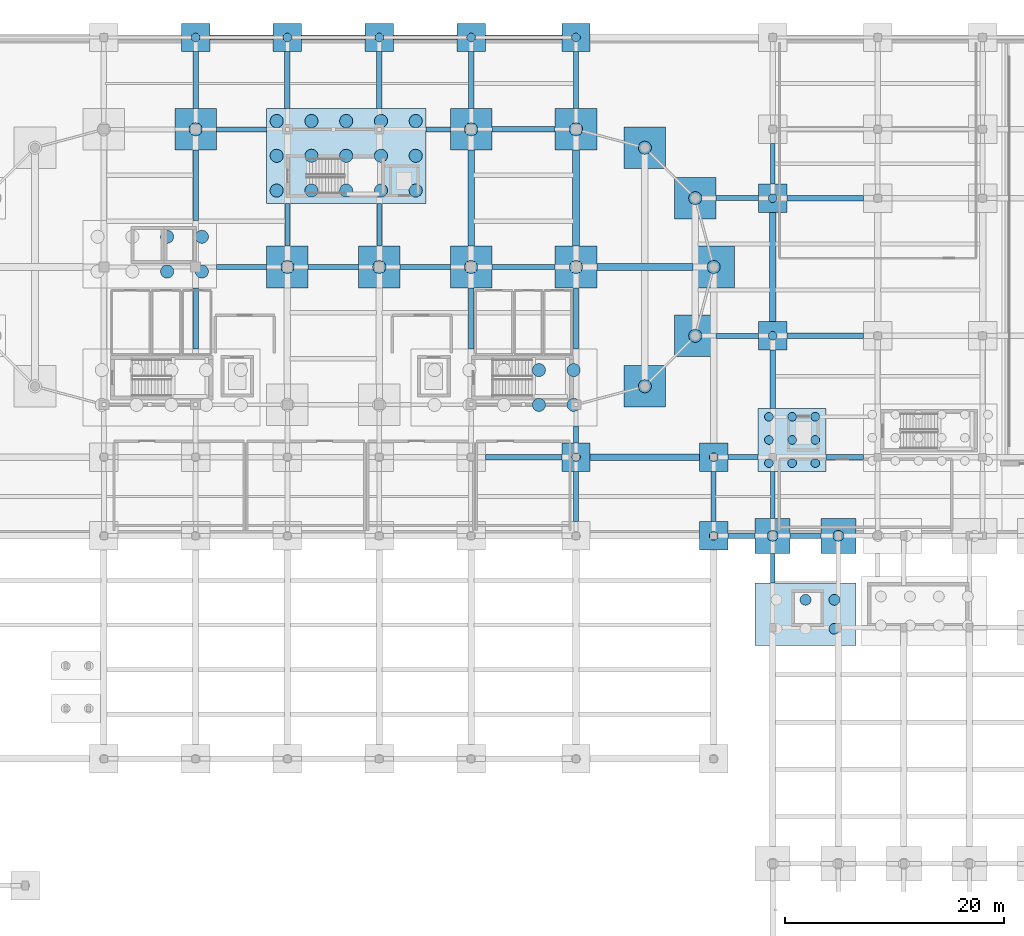
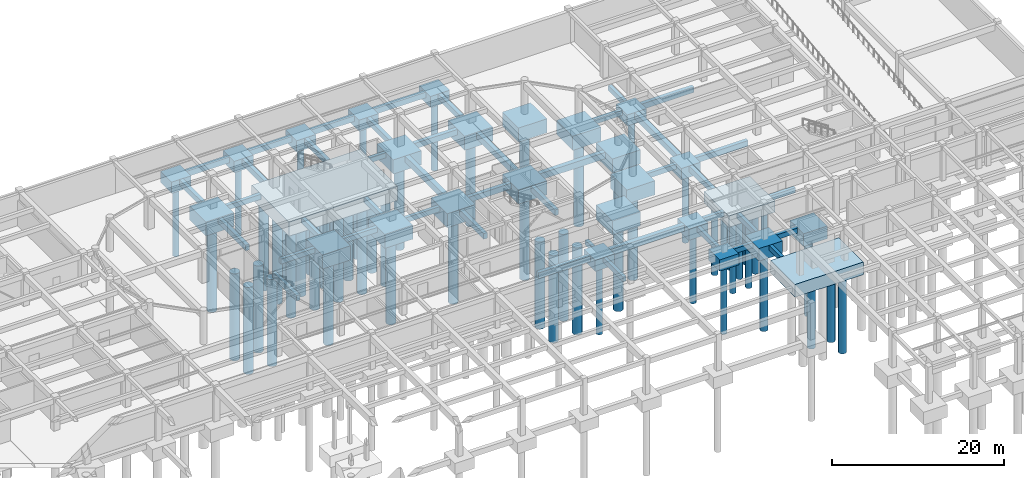
# One storey, part 5 of 37: 70 footings, 59 piles.
"""IFC4 building model written with IfcOpenShell, lengths in metres."""

from ifc_helpers import new_model, si_unit, direction, frame, origin, origin_2d, place, context, subcontext, project, spatial, rectangle, circle, extrude, material, material_profile, profile_set, type_object, element, save


model = new_model("IFC4")

# Units and contexts
model_context = context("Model", 3, precision=1e-05, world=origin(), true_north=direction((0.0, 1.0)))
body_context = subcontext(model_context, "Body", "Model", "MODEL_VIEW")
ifc_project = project(units=[si_unit("LENGTHUNIT", "METRE"), si_unit("AREAUNIT", "SQUARE_METRE"), si_unit("VOLUMEUNIT", "CUBIC_METRE"), si_unit("PLANEANGLEUNIT", "RADIAN"), si_unit("MASSUNIT", "GRAM", prefix="KILO")], contexts=[model_context])

# Site, building, storey
site_placement = place(None, origin())
site = spatial("IfcSite", under=ifc_project, at=site_placement, CompositionType="ELEMENT")
building_placement = place(site_placement, origin())
building = spatial("IfcBuilding", under=site, at=building_placement, Name="Tarnavel Promenade Courthouse", CompositionType="ELEMENT")
storey_placement = place(building_placement, frame((0.0, 0.0, -4.800048828125)))
storey = spatial("IfcBuildingStorey", under=building, at=storey_placement, Name="B01", CompositionType="ELEMENT", Elevation=-4.800048828125)

# Piles
ifc_material_1 = material(Name="Concrete C30/37", Category="concrete")
ifc_material_profile_1 = material_profile(ifc_material_1, circle(Radius=0.5, at=origin_2d()), Name="PILE D1000")
ifc_profile_set_1 = profile_set([ifc_material_profile_1], Name="Concrete C30/37")
pile_type_1 = type_object("IfcPileType", Name="Concrete C30/37 PIL-D1000 (PILE D1000)", PredefinedType="BORED", material=ifc_profile_set_1)
for number, where, z_axis, x_axis, name in (
    (1, (123.0, 61.35009765625, -2.119873046875), (0.0, 0.0, -1.0), (1.0, 0.0, 0.0), "Bored Pile 093-22"),
    (2, (125.64990234375, 58.699951171875, -2.119873046875), (0.0, 0.0, -1.0), (1.0, 0.0, 0.0), "Bored Pile 093-31"),
    (3, (125.64990234375, 61.35009765625, -2.119873046875), (0.0, 0.0, -1.0), (1.0, 0.0, 0.0), "Bored Pile 093-32"),
    (4, (120.0, 67.199951171875, -2.119873046875), (0.0, 0.0, -1.0), (1.0, 0.0, 0.0), "Bored Pile 105-11"),
    (5, (126.0, 67.199951171875, -2.119873046875), (0.0, 0.0, -1.0), (1.0, 0.0, 0.0), "Bored Pile 106-11"),
):
    element("IfcPile", number, at=place(storey_placement, frame(where, z_axis=z_axis, x_axis=x_axis)), inside=storey, type_object=pile_type_1, Name=name, PredefinedType="BORED", context=body_context, shape_type="SweptSolid", body=[
        extrude(circle(Radius=0.5, at=origin_2d()), origin(), (0.0, 0.0, 1.0), 11.280029296875),
    ])
ifc_material_profile_2 = material_profile(ifc_material_1, circle(Radius=0.60009765625, at=origin_2d()), Name="PILE D1200")
ifc_profile_set_2 = profile_set([ifc_material_profile_2], Name="Concrete C30/37")
pile_type_2 = type_object("IfcPileType", Name="Concrete C30/37 PIL-D1200 (PILE D1200)", PredefinedType="BORED", material=ifc_profile_set_2)
for number, where, z_axis, x_axis, name in (
    (6, (98.60498046875, 79.18505859375, -2.320068359375), (0.0, 0.0, -1.0), (1.0, 0.0, 0.0), "Bored Pile 139-41"),
    (7, (98.60498046875, 82.364990234375, -2.320068359375), (0.0, 0.0, -1.0), (1.0, 0.0, 0.0), "Bored Pile 139-42"),
    (8, (101.784912109375, 79.18505859375, -2.320068359375), (0.0, 0.0, -1.0), (1.0, 0.0, 0.0), "Bored Pile 139-51"),
    (9, (101.784912109375, 82.364990234375, -2.320068359375), (0.0, 0.0, -1.0), (1.0, 0.0, 0.0), "Bored Pile 139-52"),
    (10, (108.300048828125, 80.88818359375, -2.320068359375), (0.0, 0.0, -1.0), (1.0, 0.0, 0.0), "Bored Pile 141-11"),
    (11, (112.911865234375, 85.5, -2.320068359375), (0.0, 0.0, -1.0), (1.0, 0.0, 0.0), "Bored Pile 143-11"),
    (12, (64.590087890625, 91.385009765625, -2.320068359375), (0.0, 0.0, -1.0), (1.0, 0.0, 0.0), "Bored Pile 155-31"),
    (13, (64.590087890625, 94.56494140625, -2.320068359375), (0.0, 0.0, -1.0), (1.0, 0.0, 0.0), "Bored Pile 155-32"),
    (14, (67.77001953125, 91.385009765625, -2.320068359375), (0.0, 0.0, -1.0), (1.0, 0.0, 0.0), "Bored Pile 155-41"),
    (15, (67.77001953125, 94.56494140625, -2.320068359375), (0.0, 0.0, -1.0), (1.0, 0.0, 0.0), "Bored Pile 155-42"),
    (16, (75.60009765625, 91.800048828125, -2.320068359375), (0.0, 0.0, -1.0), (1.0, 0.0, 0.0), "Bored Pile 156-11"),
    (17, (84.0, 91.800048828125, -2.320068359375), (0.0, 0.0, -1.0), (1.0, 0.0, 0.0), "Bored Pile 157-11"),
    (18, (92.39990234375, 91.800048828125, -2.320068359375), (0.0, 0.0, -1.0), (1.0, 0.0, 0.0), "Bored Pile 158-11"),
    (19, (102.0, 91.800048828125, -2.320068359375), (0.0, 0.0, -1.0), (1.0, 0.0, 0.0), "Bored Pile 159-11"),
    (20, (114.60009765625, 91.800048828125, -2.320068359375), (0.0, 0.0, -1.0), (1.0, 0.0, 0.0), "Bored Pile 160-11"),
    (21, (112.911865234375, 98.10009765625, -2.320068359375), (0.0, 0.0, -1.0), (1.0, 0.0, 0.0), "Bored Pile 162-11"),
    (22, (74.614990234375, 98.794921875, -2.320068359375), (0.0, 0.0, -1.0), (1.0, 0.0, 0.0), "Bored Pile 172-11"),
    (23, (74.614990234375, 101.97509765625, -2.320068359375), (0.0, 0.0, -1.0), (1.0, 0.0, 0.0), "Bored Pile 172-12"),
    (24, (74.614990234375, 105.155029296875, -2.320068359375), (0.0, 0.0, -1.0), (1.0, 0.0, 0.0), "Bored Pile 172-13"),
    (25, (77.794921875, 98.794921875, -2.320068359375), (0.0, 0.0, -1.0), (1.0, 0.0, 0.0), "Bored Pile 172-21"),
    (26, (77.794921875, 101.97509765625, -2.320068359375), (0.0, 0.0, -1.0), (1.0, 0.0, 0.0), "Bored Pile 172-22"),
    (27, (77.794921875, 105.155029296875, -2.320068359375), (0.0, 0.0, -1.0), (1.0, 0.0, 0.0), "Bored Pile 172-23"),
    (28, (80.97509765625, 98.794921875, -2.320068359375), (0.0, 0.0, -1.0), (1.0, 0.0, 0.0), "Bored Pile 172-31"),
    (29, (80.97509765625, 101.97509765625, -2.320068359375), (0.0, 0.0, -1.0), (1.0, 0.0, 0.0), "Bored Pile 172-32"),
    (30, (80.97509765625, 105.155029296875, -2.320068359375), (0.0, 0.0, -1.0), (1.0, 0.0, 0.0), "Bored Pile 172-33"),
    (31, (84.155029296875, 98.794921875, -2.320068359375), (0.0, 0.0, -1.0), (1.0, 0.0, 0.0), "Bored Pile 172-41"),
    (32, (84.155029296875, 101.97509765625, -2.320068359375), (0.0, 0.0, -1.0), (1.0, 0.0, 0.0), "Bored Pile 172-42"),
    (33, (84.155029296875, 105.155029296875, -2.320068359375), (0.0, 0.0, -1.0), (1.0, 0.0, 0.0), "Bored Pile 172-43"),
    (34, (87.3349609375, 98.794921875, -2.320068359375), (0.0, 0.0, -1.0), (1.0, 0.0, 0.0), "Bored Pile 172-51"),
    (35, (87.3349609375, 101.97509765625, -2.320068359375), (0.0, 0.0, -1.0), (1.0, 0.0, 0.0), "Bored Pile 172-52"),
    (36, (87.3349609375, 105.155029296875, -2.320068359375), (0.0, 0.0, -1.0), (1.0, 0.0, 0.0), "Bored Pile 172-53"),
    (37, (108.300048828125, 102.7119140625, -2.320068359375), (0.0, 0.0, -1.0), (1.0, 0.0, 0.0), "Bored Pile 175-11"),
    (38, (67.199951171875, 104.39990234375, -2.320068359375), (0.0, 0.0, -1.0), (1.0, 0.0, 0.0), "Bored Pile 177-11"),
    (39, (92.39990234375, 104.39990234375, -2.320068359375), (0.0, 0.0, -1.0), (1.0, 0.0, 0.0), "Bored Pile 178-11"),
    (40, (102.0, 104.39990234375, -2.320068359375), (0.0, 0.0, -1.0), (1.0, 0.0, 0.0), "Bored Pile 179-11"),
):
    element("IfcPile", number, at=place(storey_placement, frame(where, z_axis=z_axis, x_axis=x_axis)), inside=storey, type_object=pile_type_2, Name=name, PredefinedType="BORED", context=body_context, shape_type="SweptSolid", body=[
        extrude(circle(Radius=0.60009765625, at=origin_2d()), origin(), (0.0, 0.0, 1.0), 12.3798828125),
    ])
ifc_material_profile_3 = material_profile(ifc_material_1, circle(Radius=0.39990234375, at=origin_2d()), Name="PILE D800")
ifc_profile_set_3 = profile_set([ifc_material_profile_3], Name="Concrete C30/37")
pile_type_3 = type_object("IfcPileType", Name="Concrete C30/37 PIL-D800 (PILE D800)", PredefinedType="BORED", material=ifc_profile_set_3)
for number, where, z_axis, x_axis, name in (
    (41, (114.60009765625, 67.199951171875, -1.919921875), (0.0, 0.0, -1.0), (1.0, 0.0, 0.0), "Bored Pile 119-11"),
    (42, (102.0, 74.39990234375, -1.919921875), (0.0, 0.0, -1.0), (1.0, 0.0, 0.0), "Bored Pile 130-11"),
    (43, (114.60009765625, 74.39990234375, -1.919921875), (0.0, 0.0, -1.0), (1.0, 0.0, 0.0), "Bored Pile 131-11"),
    (44, (119.655029296875, 73.85498046875, -1.919921875), (0.0, 0.0, -1.0), (1.0, 0.0, 0.0), "Bored Pile 132-11"),
    (45, (119.655029296875, 75.97509765625, -1.919921875), (0.0, 0.0, -1.0), (1.0, 0.0, 0.0), "Bored Pile 132-12"),
    (46, (119.655029296875, 78.094970703125, -1.919921875), (0.0, 0.0, -1.0), (1.0, 0.0, 0.0), "Bored Pile 132-13"),
    (47, (121.77490234375, 73.85498046875, -1.919921875), (0.0, 0.0, -1.0), (1.0, 0.0, 0.0), "Bored Pile 132-21"),
    (48, (121.77490234375, 75.97509765625, -1.919921875), (0.0, 0.0, -1.0), (1.0, 0.0, 0.0), "Bored Pile 132-22"),
    (49, (121.77490234375, 78.094970703125, -1.919921875), (0.0, 0.0, -1.0), (1.0, 0.0, 0.0), "Bored Pile 132-23"),
    (50, (123.89501953125, 73.85498046875, -1.919921875), (0.0, 0.0, -1.0), (1.0, 0.0, 0.0), "Bored Pile 132-31"),
    (51, (123.89501953125, 75.97509765625, -1.919921875), (0.0, 0.0, -1.0), (1.0, 0.0, 0.0), "Bored Pile 132-32"),
    (52, (123.89501953125, 78.094970703125, -1.919921875), (0.0, 0.0, -1.0), (1.0, 0.0, 0.0), "Bored Pile 132-33"),
    (53, (120.0, 85.5, -1.919921875), (0.0, 0.0, -1.0), (1.0, 0.0, 0.0), "Bored Pile 149-11"),
    (54, (120.0, 98.10009765625, -1.919921875), (0.0, 0.0, -1.0), (1.0, 0.0, 0.0), "Bored Pile 167-11"),
    (55, (67.199951171875, 112.800048828125, -1.919921875), (0.0, 0.0, -1.0), (1.0, 0.0, 0.0), "Bored Pile 192-11"),
    (56, (75.60009765625, 112.800048828125, -1.919921875), (0.0, 0.0, -1.0), (1.0, 0.0, 0.0), "Bored Pile 193-11"),
    (57, (84.0, 112.800048828125, -1.919921875), (0.0, 0.0, -1.0), (1.0, 0.0, 0.0), "Bored Pile 194-11"),
    (58, (92.39990234375, 112.800048828125, -1.919921875), (0.0, 0.0, -1.0), (1.0, 0.0, 0.0), "Bored Pile 195-11"),
    (59, (102.0, 112.800048828125, -1.919921875), (0.0, 0.0, -1.0), (1.0, 0.0, 0.0), "Bored Pile 196-11"),
):
    element("IfcPile", number, at=place(storey_placement, frame(where, z_axis=z_axis, x_axis=x_axis)), inside=storey, type_object=pile_type_3, Name=name, PredefinedType="BORED", context=body_context, shape_type="SweptSolid", body=[
        extrude(circle(Radius=0.39990234375, at=origin_2d()), origin(), (0.0, 0.0, 1.0), 10.080078125),
    ])

# Footings
ifc_material_2 = material(Name="Concrete C35/45", Category="concrete")
ifc_material_profile_4 = material_profile(ifc_material_2, rectangle(XDim=0.449951171875, YDim=0.699951171875, at=origin_2d()), Name="GB 450x700")
ifc_profile_set_4 = profile_set([ifc_material_profile_4], Name="Concrete C35/45")
footing_type_1 = type_object("IfcFootingType", Name="Concrete C35/45 FTG-GB-450x700 (GB 450x700)", PredefinedType="FOOTING_BEAM", material=ifc_profile_set_4)
footing_1_placement = place(storey_placement, frame((115.89990234375, 67.199951171875, -0.77001953125), z_axis=(1.0, 0.0, 0.0), x_axis=(0.0, 1.0, 0.0)))
element("IfcFooting", 60, at=footing_1_placement, inside=storey, type_object=footing_type_1, Name="Seismic Ground Tie Beam GB-X-093", PredefinedType="FOOTING_BEAM", context=body_context, shape_type="SweptSolid", body=[
    extrude(rectangle(XDim=0.449951171875, YDim=0.699951171875, at=origin_2d()), origin(), (0.0, 0.0, 1.0), 2.5),
])
footing_2_placement = place(storey_placement, frame((121.60009765625, 67.199951171875, -0.77001953125), z_axis=(1.0, 0.0, 0.0), x_axis=(0.0, 1.0, 0.0)))
element("IfcFooting", 61, at=footing_2_placement, inside=storey, type_object=footing_type_1, Name="Seismic Ground Tie Beam GB-X-094", PredefinedType="FOOTING_BEAM", context=body_context, shape_type="SweptSolid", body=[
    extrude(rectangle(XDim=0.449951171875, YDim=0.699951171875, at=origin_2d()), origin(), (0.0, 0.0, 1.0), 2.7998046875),
])
footing_3_placement = place(storey_placement, frame((115.89990234375, 74.39990234375, -0.77001953125), z_axis=(1.0, 0.0, 0.0), x_axis=(0.0, 1.0, 0.0)))
element("IfcFooting", 62, at=footing_3_placement, inside=storey, type_object=footing_type_1, Name="Seismic Ground Tie Beam GB-X-111", PredefinedType="FOOTING_BEAM", context=body_context, shape_type="SweptSolid", body=[
    extrude(rectangle(XDim=0.449951171875, YDim=0.699951171875, at=origin_2d()), origin(), (0.0, 0.0, 1.0), 2.775146484375),
])
footing_4_placement = place(storey_placement, frame((124.875, 74.39990234375, -0.77001953125), z_axis=(1.0, 0.0, 0.0), x_axis=(0.0, 1.0, 0.0)))
element("IfcFooting", 63, at=footing_4_placement, inside=storey, type_object=footing_type_1, Name="Seismic Ground Tie Beam GB-X-112", PredefinedType="FOOTING_BEAM", context=body_context, shape_type="SweptSolid", body=[
    extrude(rectangle(XDim=0.449951171875, YDim=0.699951171875, at=origin_2d()), origin(), (0.0, 0.0, 1.0), 3.425048828125),
])
footing_5_placement = place(storey_placement, frame((114.81201171875, 85.5, -0.77001953125), z_axis=(1.0, 0.0, 0.0), x_axis=(0.0, 1.0, 0.0)))
element("IfcFooting", 64, at=footing_5_placement, inside=storey, type_object=footing_type_1, Name="Seismic Ground Tie Beam GB-X-122", PredefinedType="FOOTING_BEAM", context=body_context, shape_type="SweptSolid", body=[
    extrude(rectangle(XDim=0.449951171875, YDim=0.699951171875, at=origin_2d()), origin(), (0.0, 0.0, 1.0), 3.887939453125),
])
footing_6_placement = place(storey_placement, frame((69.10009765625, 91.800048828125, -0.77001953125), z_axis=(1.0, 0.0, 0.0), x_axis=(0.0, 1.0, 0.0)))
element("IfcFooting", 65, at=footing_6_placement, inside=storey, type_object=footing_type_1, Name="Seismic Ground Tie Beam GB-X-128", PredefinedType="FOOTING_BEAM", context=body_context, shape_type="SweptSolid", body=[
    extrude(rectangle(XDim=0.449951171875, YDim=0.699951171875, at=origin_2d()), origin(), (0.0, 0.0, 1.0), 4.599853515625),
])
for number, where, z_axis, x_axis, name in (
    (66, (77.5, 91.800048828125, -0.77001953125), (1.0, 0.0, 0.0), (0.0, 1.0, 0.0), "Seismic Ground Tie Beam GB-X-129"),
    (67, (85.89990234375, 91.800048828125, -0.77001953125), (1.0, 0.0, 0.0), (0.0, 1.0, 0.0), "Seismic Ground Tie Beam GB-X-130"),
):
    element("IfcFooting", number, at=place(storey_placement, frame(where, z_axis=z_axis, x_axis=x_axis)), inside=storey, type_object=footing_type_1, Name=name, PredefinedType="FOOTING_BEAM", context=body_context, shape_type="SweptSolid", body=[
        extrude(rectangle(XDim=0.449951171875, YDim=0.699951171875, at=origin_2d()), origin(), (0.0, 0.0, 1.0), 4.60009765625),
    ])
footing_7_placement = place(storey_placement, frame((114.81201171875, 98.10009765625, -0.77001953125), z_axis=(1.0, 0.0, 0.0), x_axis=(0.0, 1.0, 0.0)))
element("IfcFooting", 68, at=footing_7_placement, inside=storey, type_object=footing_type_1, Name="Seismic Ground Tie Beam GB-X-136", PredefinedType="FOOTING_BEAM", context=body_context, shape_type="SweptSolid", body=[
    extrude(rectangle(XDim=0.449951171875, YDim=0.699951171875, at=origin_2d()), origin(), (0.0, 0.0, 1.0), 3.887939453125),
])
footing_8_placement = place(storey_placement, frame((69.10009765625, 104.39990234375, -0.77001953125), z_axis=(1.0, 0.0, 0.0), x_axis=(0.0, 1.0, 0.0)))
element("IfcFooting", 69, at=footing_8_placement, inside=storey, type_object=footing_type_1, Name="Seismic Ground Tie Beam GB-X-142", PredefinedType="FOOTING_BEAM", context=body_context, shape_type="SweptSolid", body=[
    extrude(rectangle(XDim=0.449951171875, YDim=0.699951171875, at=origin_2d()), origin(), (0.0, 0.0, 1.0), 4.574951171875),
])
footing_9_placement = place(storey_placement, frame((88.27490234375, 104.39990234375, -0.77001953125), z_axis=(1.0, 0.0, 0.0), x_axis=(0.0, 1.0, 0.0)))
element("IfcFooting", 70, at=footing_9_placement, inside=storey, type_object=footing_type_1, Name="Seismic Ground Tie Beam GB-X-143", PredefinedType="FOOTING_BEAM", context=body_context, shape_type="SweptSolid", body=[
    extrude(rectangle(XDim=0.449951171875, YDim=0.699951171875, at=origin_2d()), origin(), (0.0, 0.0, 1.0), 2.22509765625),
])
for number, where, z_axis, x_axis, name in (
    (71, (75.60009765625, 93.699951171875, -0.77001953125), (0.0, 1.0, 0.0), (-1.0, 0.0, 0.0), "Seismic Ground Tie Beam GB-Y-229"),
    (72, (84.0, 93.699951171875, -0.77001953125), (0.0, 1.0, 0.0), (-1.0, 0.0, 0.0), "Seismic Ground Tie Beam GB-Y-235"),
):
    element("IfcFooting", number, at=place(storey_placement, frame(where, z_axis=z_axis, x_axis=x_axis)), inside=storey, type_object=footing_type_1, Name=name, PredefinedType="FOOTING_BEAM", context=body_context, shape_type="SweptSolid", body=[
        extrude(rectangle(XDim=0.449951171875, YDim=0.699951171875, at=origin_2d()), origin(), (0.0, 0.0, 1.0), 3.925048828125),
    ])
footing_10_placement = place(storey_placement, frame((102.0, 68.5, -0.77001953125), z_axis=(0.0, 1.0, 0.0), x_axis=(-1.0, 0.0, 0.0)))
element("IfcFooting", 73, at=footing_10_placement, inside=storey, type_object=footing_type_1, Name="Seismic Ground Tie Beam GB-Y-244", PredefinedType="FOOTING_BEAM", context=body_context, shape_type="SweptSolid", body=[
    extrude(rectangle(XDim=0.449951171875, YDim=0.699951171875, at=origin_2d()), origin(), (0.0, 0.0, 1.0), 4.60009765625),
])
footing_11_placement = place(storey_placement, frame((102.0, 75.699951171875, -0.77001953125), z_axis=(0.0, 1.0, 0.0), x_axis=(-1.0, 0.0, 0.0)))
element("IfcFooting", 74, at=footing_11_placement, inside=storey, type_object=footing_type_1, Name="Seismic Ground Tie Beam GB-Y-245", PredefinedType="FOOTING_BEAM", context=body_context, shape_type="SweptSolid", body=[
    extrude(rectangle(XDim=0.449951171875, YDim=0.699951171875, at=origin_2d()), origin(), (0.0, 0.0, 1.0), 1.574951171875),
])
footing_12_placement = place(storey_placement, frame((114.60009765625, 68.5, -0.77001953125), z_axis=(0.0, 1.0, 0.0), x_axis=(-1.0, 0.0, 0.0)))
element("IfcFooting", 75, at=footing_12_placement, inside=storey, type_object=footing_type_1, Name="Seismic Ground Tie Beam GB-Y-250", PredefinedType="FOOTING_BEAM", context=body_context, shape_type="SweptSolid", body=[
    extrude(rectangle(XDim=0.449951171875, YDim=0.699951171875, at=origin_2d()), origin(), (0.0, 0.0, 1.0), 4.60009765625),
])
footing_13_placement = place(storey_placement, frame((120.0, 62.875, -0.77001953125), z_axis=(0.0, 1.0, 0.0), x_axis=(-1.0, 0.0, 0.0)))
element("IfcFooting", 76, at=footing_13_placement, inside=storey, type_object=footing_type_1, Name="Seismic Ground Tie Beam GB-Y-252", PredefinedType="FOOTING_BEAM", context=body_context, shape_type="SweptSolid", body=[
    extrude(rectangle(XDim=0.449951171875, YDim=0.699951171875, at=origin_2d()), origin(), (0.0, 0.0, 1.0), 2.72509765625),
])
footing_14_placement = place(storey_placement, frame((120.0, 68.800048828125, -0.77001953125), z_axis=(0.0, 1.0, 0.0), x_axis=(-1.0, 0.0, 0.0)))
element("IfcFooting", 77, at=footing_14_placement, inside=storey, type_object=footing_type_1, Name="Seismic Ground Tie Beam GB-Y-253", PredefinedType="FOOTING_BEAM", context=body_context, shape_type="SweptSolid", body=[
    extrude(rectangle(XDim=0.449951171875, YDim=0.699951171875, at=origin_2d()), origin(), (0.0, 0.0, 1.0), 4.27490234375),
])
footing_15_placement = place(storey_placement, frame((120.0, 99.39990234375, -0.77001953125), z_axis=(0.0, 1.0, 0.0), x_axis=(-1.0, 0.0, 0.0)))
element("IfcFooting", 78, at=footing_15_placement, inside=storey, type_object=footing_type_1, Name="Seismic Ground Tie Beam GB-Y-256", PredefinedType="FOOTING_BEAM", context=body_context, shape_type="SweptSolid", body=[
    extrude(rectangle(XDim=0.449951171875, YDim=0.699951171875, at=origin_2d()), origin(), (0.0, 0.0, 1.0), 3.7001953125),
])
ifc_material_profile_5 = material_profile(ifc_material_2, rectangle(XDim=0.5, YDim=0.800048828125, at=origin_2d()), Name="GB 500x800")
ifc_profile_set_5 = profile_set([ifc_material_profile_5], Name="Concrete C35/45")
footing_type_2 = type_object("IfcFootingType", Name="Concrete C35/45 FTG-GB-500x800 (GB 500x800)", PredefinedType="FOOTING_BEAM", material=ifc_profile_set_5)
for number, where, z_axis, x_axis, name in (
    (79, (93.699951171875, 74.39990234375, -0.820068359375), (1.0, 0.0, 0.0), (0.0, 1.0, 0.0), "Seismic Ground Tie Beam GB-X-109"),
    (80, (121.300048828125, 85.5, -0.820068359375), (1.0, 0.0, 0.0), (0.0, 1.0, 0.0), "Seismic Ground Tie Beam GB-X-123"),
):
    element("IfcFooting", number, at=place(storey_placement, frame(where, z_axis=z_axis, x_axis=x_axis)), inside=storey, type_object=footing_type_2, Name=name, PredefinedType="FOOTING_BEAM", context=body_context, shape_type="SweptSolid", body=[
        extrude(rectangle(XDim=0.5, YDim=0.800048828125, at=origin_2d()), origin(), (0.0, 0.0, 1.0), 7.0),
    ])
footing_16_placement = place(storey_placement, frame((94.300048828125, 91.800048828125, -0.820068359375), z_axis=(1.0, 0.0, 0.0), x_axis=(0.0, 1.0, 0.0)))
element("IfcFooting", 81, at=footing_16_placement, inside=storey, type_object=footing_type_2, Name="Seismic Ground Tie Beam GB-X-131", PredefinedType="FOOTING_BEAM", context=body_context, shape_type="SweptSolid", body=[
    extrude(rectangle(XDim=0.5, YDim=0.800048828125, at=origin_2d()), origin(), (0.0, 0.0, 1.0), 5.800048828125),
])
footing_17_placement = place(storey_placement, frame((121.300048828125, 98.10009765625, -0.820068359375), z_axis=(1.0, 0.0, 0.0), x_axis=(0.0, 1.0, 0.0)))
element("IfcFooting", 82, at=footing_17_placement, inside=storey, type_object=footing_type_2, Name="Seismic Ground Tie Beam GB-X-137", PredefinedType="FOOTING_BEAM", context=body_context, shape_type="SweptSolid", body=[
    extrude(rectangle(XDim=0.5, YDim=0.800048828125, at=origin_2d()), origin(), (0.0, 0.0, 1.0), 7.0),
])
for number, where, z_axis, x_axis, name in (
    (83, (94.300048828125, 104.39990234375, -0.820068359375), (1.0, 0.0, 0.0), (0.0, 1.0, 0.0), "Seismic Ground Tie Beam GB-X-144"),
    (84, (68.5, 112.800048828125, -0.820068359375), (1.0, 0.0, 0.0), (0.0, 1.0, 0.0), "Seismic Ground Tie Beam GB-X-156"),
    (85, (76.89990234375, 112.800048828125, -0.820068359375), (1.0, 0.0, 0.0), (0.0, 1.0, 0.0), "Seismic Ground Tie Beam GB-X-157"),
    (86, (85.300048828125, 112.800048828125, -0.820068359375), (1.0, 0.0, 0.0), (0.0, 1.0, 0.0), "Seismic Ground Tie Beam GB-X-158"),
):
    element("IfcFooting", number, at=place(storey_placement, frame(where, z_axis=z_axis, x_axis=x_axis)), inside=storey, type_object=footing_type_2, Name=name, PredefinedType="FOOTING_BEAM", context=body_context, shape_type="SweptSolid", body=[
        extrude(rectangle(XDim=0.5, YDim=0.800048828125, at=origin_2d()), origin(), (0.0, 0.0, 1.0), 5.800048828125),
    ])
footing_18_placement = place(storey_placement, frame((93.699951171875, 112.800048828125, -0.820068359375), z_axis=(1.0, 0.0, 0.0), x_axis=(0.0, 1.0, 0.0)))
element("IfcFooting", 87, at=footing_18_placement, inside=storey, type_object=footing_type_2, Name="Seismic Ground Tie Beam GB-X-159", PredefinedType="FOOTING_BEAM", context=body_context, shape_type="SweptSolid", body=[
    extrude(rectangle(XDim=0.5, YDim=0.800048828125, at=origin_2d()), origin(), (0.0, 0.0, 1.0), 7.0),
])
footing_19_placement = place(storey_placement, frame((67.199951171875, 84.27490234375, -0.820068359375), z_axis=(0.0, 1.0, 0.0), x_axis=(-1.0, 0.0, 0.0)))
element("IfcFooting", 88, at=footing_19_placement, inside=storey, type_object=footing_type_2, Name="Seismic Ground Tie Beam GB-Y-222", PredefinedType="FOOTING_BEAM", context=body_context, shape_type="SweptSolid", body=[
    extrude(rectangle(XDim=0.5, YDim=0.800048828125, at=origin_2d()), origin(), (0.0, 0.0, 1.0), 5.60009765625),
])
footing_20_placement = place(storey_placement, frame((67.199951171875, 96.074951171875, -0.820068359375), z_axis=(0.0, 1.0, 0.0), x_axis=(-1.0, 0.0, 0.0)))
element("IfcFooting", 89, at=footing_20_placement, inside=storey, type_object=footing_type_2, Name="Seismic Ground Tie Beam GB-Y-223", PredefinedType="FOOTING_BEAM", context=body_context, shape_type="SweptSolid", body=[
    extrude(rectangle(XDim=0.5, YDim=0.800048828125, at=origin_2d()), origin(), (0.0, 0.0, 1.0), 6.425048828125),
])
footing_21_placement = place(storey_placement, frame((67.199951171875, 106.300048828125, -0.820068359375), z_axis=(0.0, 1.0, 0.0), x_axis=(-1.0, 0.0, 0.0)))
element("IfcFooting", 90, at=footing_21_placement, inside=storey, type_object=footing_type_2, Name="Seismic Ground Tie Beam GB-Y-224", PredefinedType="FOOTING_BEAM", context=body_context, shape_type="SweptSolid", body=[
    extrude(rectangle(XDim=0.5, YDim=0.800048828125, at=origin_2d()), origin(), (0.0, 0.0, 1.0), 5.199951171875),
])
for number, where, z_axis, x_axis, name in (
    (91, (75.60009765625, 106.324951171875, -0.820068359375), (0.0, 1.0, 0.0), (-1.0, 0.0, 0.0), "Seismic Ground Tie Beam GB-Y-230"),
    (92, (84.0, 106.324951171875, -0.820068359375), (0.0, 1.0, 0.0), (-1.0, 0.0, 0.0), "Seismic Ground Tie Beam GB-Y-236"),
):
    element("IfcFooting", number, at=place(storey_placement, frame(where, z_axis=z_axis, x_axis=x_axis)), inside=storey, type_object=footing_type_2, Name=name, PredefinedType="FOOTING_BEAM", context=body_context, shape_type="SweptSolid", body=[
        extrude(rectangle(XDim=0.5, YDim=0.800048828125, at=origin_2d()), origin(), (0.0, 0.0, 1.0), 5.175048828125),
    ])
footing_22_placement = place(storey_placement, frame((92.39990234375, 84.27490234375, -0.820068359375), z_axis=(0.0, 1.0, 0.0), x_axis=(-1.0, 0.0, 0.0)))
element("IfcFooting", 93, at=footing_22_placement, inside=storey, type_object=footing_type_2, Name="Seismic Ground Tie Beam GB-Y-240", PredefinedType="FOOTING_BEAM", context=body_context, shape_type="SweptSolid", body=[
    extrude(rectangle(XDim=0.5, YDim=0.800048828125, at=origin_2d()), origin(), (0.0, 0.0, 1.0), 5.625),
])
footing_23_placement = place(storey_placement, frame((92.39990234375, 106.300048828125, -0.820068359375), z_axis=(0.0, 1.0, 0.0), x_axis=(-1.0, 0.0, 0.0)))
element("IfcFooting", 94, at=footing_23_placement, inside=storey, type_object=footing_type_2, Name="Seismic Ground Tie Beam GB-Y-242", PredefinedType="FOOTING_BEAM", context=body_context, shape_type="SweptSolid", body=[
    extrude(rectangle(XDim=0.5, YDim=0.800048828125, at=origin_2d()), origin(), (0.0, 0.0, 1.0), 5.199951171875),
])
footing_24_placement = place(storey_placement, frame((102.0, 84.27490234375, -0.820068359375), z_axis=(0.0, 1.0, 0.0), x_axis=(-1.0, 0.0, 0.0)))
element("IfcFooting", 95, at=footing_24_placement, inside=storey, type_object=footing_type_2, Name="Seismic Ground Tie Beam GB-Y-246", PredefinedType="FOOTING_BEAM", context=body_context, shape_type="SweptSolid", body=[
    extrude(rectangle(XDim=0.5, YDim=0.800048828125, at=origin_2d()), origin(), (0.0, 0.0, 1.0), 5.625),
])
footing_25_placement = place(storey_placement, frame((102.0, 106.300048828125, -0.820068359375), z_axis=(0.0, 1.0, 0.0), x_axis=(-1.0, 0.0, 0.0)))
element("IfcFooting", 96, at=footing_25_placement, inside=storey, type_object=footing_type_2, Name="Seismic Ground Tie Beam GB-Y-248", PredefinedType="FOOTING_BEAM", context=body_context, shape_type="SweptSolid", body=[
    extrude(rectangle(XDim=0.5, YDim=0.800048828125, at=origin_2d()), origin(), (0.0, 0.0, 1.0), 5.199951171875),
])
footing_26_placement = place(storey_placement, frame((120.0, 78.875, -0.820068359375), z_axis=(0.0, 1.0, 0.0), x_axis=(-1.0, 0.0, 0.0)))
element("IfcFooting", 97, at=footing_26_placement, inside=storey, type_object=footing_type_2, Name="Seismic Ground Tie Beam GB-Y-254", PredefinedType="FOOTING_BEAM", context=body_context, shape_type="SweptSolid", body=[
    extrude(rectangle(XDim=0.5, YDim=0.800048828125, at=origin_2d()), origin(), (0.0, 0.0, 1.0), 5.324951171875),
])
ifc_material_profile_6 = material_profile(ifc_material_2, rectangle(XDim=0.60009765625, YDim=0.89990234375, at=origin_2d()), Name="GB 600x900")
ifc_profile_set_6 = profile_set([ifc_material_profile_6], Name="Concrete C35/45")
footing_type_3 = type_object("IfcFootingType", Name="Concrete C35/45 FTG-GB-600x900 (GB 600x900)", PredefinedType="FOOTING_BEAM", material=ifc_profile_set_6)
footing_27_placement = place(storey_placement, frame((103.300048828125, 74.39990234375, -0.869873046875), z_axis=(1.0, 0.0, 0.0), x_axis=(0.0, 1.0, 0.0)))
element("IfcFooting", 98, at=footing_27_placement, inside=storey, type_object=footing_type_3, Name="Seismic Ground Tie Beam GB-X-110", PredefinedType="FOOTING_BEAM", context=body_context, shape_type="SweptSolid", body=[
    extrude(rectangle(XDim=0.60009765625, YDim=0.89990234375, at=origin_2d()), origin(), (0.0, 0.0, 1.0), 10.0),
])
for number, where, z_axis, x_axis, name in (
    (99, (103.89990234375, 91.800048828125, -0.869873046875), (1.0, 0.0, 0.0), (0.0, 1.0, 0.0), "Seismic Ground Tie Beam GB-X-132"),
    (100, (92.39990234375, 93.699951171875, -0.869873046875), (0.0, 1.0, 0.0), (-1.0, 0.0, 0.0), "Seismic Ground Tie Beam GB-Y-241"),
    (101, (102.0, 93.699951171875, -0.869873046875), (0.0, 1.0, 0.0), (-1.0, 0.0, 0.0), "Seismic Ground Tie Beam GB-Y-247"),
):
    element("IfcFooting", number, at=place(storey_placement, frame(where, z_axis=z_axis, x_axis=x_axis)), inside=storey, type_object=footing_type_3, Name=name, PredefinedType="FOOTING_BEAM", context=body_context, shape_type="SweptSolid", body=[
        extrude(rectangle(XDim=0.60009765625, YDim=0.89990234375, at=origin_2d()), origin(), (0.0, 0.0, 1.0), 8.800048828125),
    ])
footing_28_placement = place(storey_placement, frame((120.0, 86.800048828125, -0.869873046875), z_axis=(0.0, 1.0, 0.0), x_axis=(-1.0, 0.0, 0.0)))
element("IfcFooting", 102, at=footing_28_placement, inside=storey, type_object=footing_type_3, Name="Seismic Ground Tie Beam GB-Y-255", PredefinedType="FOOTING_BEAM", context=body_context, shape_type="SweptSolid", body=[
    extrude(rectangle(XDim=0.60009765625, YDim=0.89990234375, at=origin_2d()), origin(), (0.0, 0.0, 1.0), 10.0),
])
footing_type_4 = type_object("IfcFootingType", Name="Concrete C35/45 Pile Cap PC-01 (2600x2600x1600)", PredefinedType="PILE_CAP", material=ifc_material_2)
for number, where, z_axis, x_axis, name in (
    (103, (114.60009765625, 67.199951171875, -2.02001953125), (0.0, 0.0, 1.0), (1.0, 0.0, 0.0), "Pile Cap 119"),
    (104, (102.0, 74.39990234375, -2.02001953125), (0.0, 0.0, 1.0), (1.0, 0.0, 0.0), "Pile Cap 130"),
    (105, (114.60009765625, 74.39990234375, -2.02001953125), (0.0, 0.0, 1.0), (1.0, 0.0, 0.0), "Pile Cap 131"),
    (106, (120.0, 85.5, -2.02001953125), (0.0, 0.0, 1.0), (1.0, 0.0, 0.0), "Pile Cap 149"),
    (107, (120.0, 98.10009765625, -2.02001953125), (0.0, 0.0, 1.0), (1.0, 0.0, 0.0), "Pile Cap 167"),
    (108, (67.199951171875, 112.800048828125, -2.02001953125), (0.0, 0.0, 1.0), (1.0, 0.0, 0.0), "Pile Cap 192"),
    (109, (75.60009765625, 112.800048828125, -2.02001953125), (0.0, 0.0, 1.0), (1.0, 0.0, 0.0), "Pile Cap 193"),
    (110, (84.0, 112.800048828125, -2.02001953125), (0.0, 0.0, 1.0), (1.0, 0.0, 0.0), "Pile Cap 194"),
    (111, (92.39990234375, 112.800048828125, -2.02001953125), (0.0, 0.0, 1.0), (1.0, 0.0, 0.0), "Pile Cap 195"),
    (112, (102.0, 112.800048828125, -2.02001953125), (0.0, 0.0, 1.0), (1.0, 0.0, 0.0), "Pile Cap 196"),
):
    element("IfcFooting", number, at=place(storey_placement, frame(where, z_axis=z_axis, x_axis=x_axis)), inside=storey, type_object=footing_type_4, Name=name, PredefinedType="PILE_CAP", context=body_context, shape_type="SweptSolid", body=[
        extrude(rectangle(XDim=2.60009765625, YDim=2.60009765625, at=origin_2d()), origin(), (0.0, 0.0, 1.0), 1.60009765625),
    ])
footing_type_5 = type_object("IfcFootingType", Name="Concrete C35/45 Pile Cap PC-06 (3200x3200x1800)", PredefinedType="PILE_CAP", material=ifc_material_2)
for number, where, z_axis, x_axis, name in (
    (113, (120.0, 67.199951171875, -2.22021484375), (0.0, 0.0, 1.0), (1.0, 0.0, 0.0), "Pile Cap 105"),
    (114, (126.0, 67.199951171875, -2.22021484375), (0.0, 0.0, 1.0), (1.0, 0.0, 0.0), "Pile Cap 106"),
):
    element("IfcFooting", number, at=place(storey_placement, frame(where, z_axis=z_axis, x_axis=x_axis)), inside=storey, type_object=footing_type_5, Name=name, PredefinedType="PILE_CAP", context=body_context, shape_type="SweptSolid", body=[
        extrude(rectangle(XDim=3.199951171875, YDim=3.199951171875, at=origin_2d()), origin(), (0.0, 0.0, 1.0), 1.800048828125),
    ])
footing_type_6 = type_object("IfcFootingType", Name="Concrete C35/45 Pile Cap PC-09 (9200x5700x1800)", PredefinedType="PILE_CAP", material=ifc_material_2)
footing_29_placement = place(storey_placement, frame((123.0, 60.02490234375, -2.22021484375), z_axis=(0.0, 0.0, 1.0), x_axis=(1.0, 0.0, 0.0)))
element("IfcFooting", 115, at=footing_29_placement, inside=storey, type_object=footing_type_6, Name="Pile Cap 093", PredefinedType="PILE_CAP", context=body_context, shape_type="SweptSolid", body=[
    extrude(rectangle(XDim=9.199951171875, YDim=5.699951171875, at=origin_2d()), origin(), (0.0, 0.0, 1.0), 1.800048828125),
])
footing_type_7 = type_object("IfcFootingType", Name="Concrete C35/45 Pile Cap PC-14 (6200x5800x1600)", PredefinedType="PILE_CAP", material=ifc_material_2)
footing_30_placement = place(storey_placement, frame((121.77490234375, 75.97509765625, -2.02001953125), z_axis=(0.0, 0.0, 1.0), x_axis=(1.0, 0.0, 0.0)))
element("IfcFooting", 116, at=footing_30_placement, inside=storey, type_object=footing_type_7, Name="Pile Cap 132", PredefinedType="PILE_CAP", context=body_context, shape_type="SweptSolid", body=[
    extrude(rectangle(XDim=6.199951171875, YDim=5.800048828125, at=origin_2d()), origin(), (0.0, 0.0, 1.0), 1.60009765625),
])
footing_type_8 = type_object("IfcFootingType", Name="Concrete C35/45 Pile Cap PC-17 (3800x3800x2000)", PredefinedType="PILE_CAP", material=ifc_material_2)
for number, where, z_axis, x_axis, name in (
    (117, (108.300048828125, 80.88818359375, -2.419921875), (0.0, 0.0, 1.0), (1.0, 0.0, 0.0), "Pile Cap 141"),
    (118, (112.911865234375, 85.5, -2.419921875), (0.0, 0.0, 1.0), (1.0, 0.0, 0.0), "Pile Cap 143"),
    (119, (75.60009765625, 91.800048828125, -2.419921875), (0.0, 0.0, 1.0), (1.0, 0.0, 0.0), "Pile Cap 156"),
    (120, (84.0, 91.800048828125, -2.419921875), (0.0, 0.0, 1.0), (1.0, 0.0, 0.0), "Pile Cap 157"),
    (121, (92.39990234375, 91.800048828125, -2.419921875), (0.0, 0.0, 1.0), (1.0, 0.0, 0.0), "Pile Cap 158"),
    (122, (102.0, 91.800048828125, -2.419921875), (0.0, 0.0, 1.0), (1.0, 0.0, 0.0), "Pile Cap 159"),
    (123, (114.60009765625, 91.800048828125, -2.419921875), (0.0, 0.0, 1.0), (1.0, 0.0, 0.0), "Pile Cap 160"),
    (124, (112.911865234375, 98.10009765625, -2.419921875), (0.0, 0.0, 1.0), (1.0, 0.0, 0.0), "Pile Cap 162"),
    (125, (108.300048828125, 102.7119140625, -2.419921875), (0.0, 0.0, 1.0), (1.0, 0.0, 0.0), "Pile Cap 175"),
    (126, (67.199951171875, 104.39990234375, -2.419921875), (0.0, 0.0, 1.0), (1.0, 0.0, 0.0), "Pile Cap 177"),
    (127, (92.39990234375, 104.39990234375, -2.419921875), (0.0, 0.0, 1.0), (1.0, 0.0, 0.0), "Pile Cap 178"),
    (128, (102.0, 104.39990234375, -2.419921875), (0.0, 0.0, 1.0), (1.0, 0.0, 0.0), "Pile Cap 179"),
):
    element("IfcFooting", number, at=place(storey_placement, frame(where, z_axis=z_axis, x_axis=x_axis)), inside=storey, type_object=footing_type_8, Name=name, PredefinedType="PILE_CAP", context=body_context, shape_type="SweptSolid", body=[
        extrude(rectangle(XDim=3.800048828125, YDim=3.800048828125, at=origin_2d()), origin(), (0.0, 0.0, 1.0), 2.0),
    ])
footing_type_9 = type_object("IfcFootingType", Name="Concrete C35/45 Pile Cap PC-22 (14600x8700x2000)", PredefinedType="PILE_CAP", material=ifc_material_2)
footing_31_placement = place(storey_placement, frame((80.97509765625, 101.97509765625, -2.419921875), z_axis=(0.0, 0.0, 1.0), x_axis=(1.0, 0.0, 0.0)))
element("IfcFooting", 129, at=footing_31_placement, inside=storey, type_object=footing_type_9, Name="Pile Cap 172", PredefinedType="PILE_CAP", context=body_context, shape_type="SweptSolid", body=[
    extrude(rectangle(XDim=14.60009765625, YDim=8.699951171875, at=origin_2d()), origin(), (0.0, 0.0, 1.0), 2.0),
])

save(model, "model.ifc")
